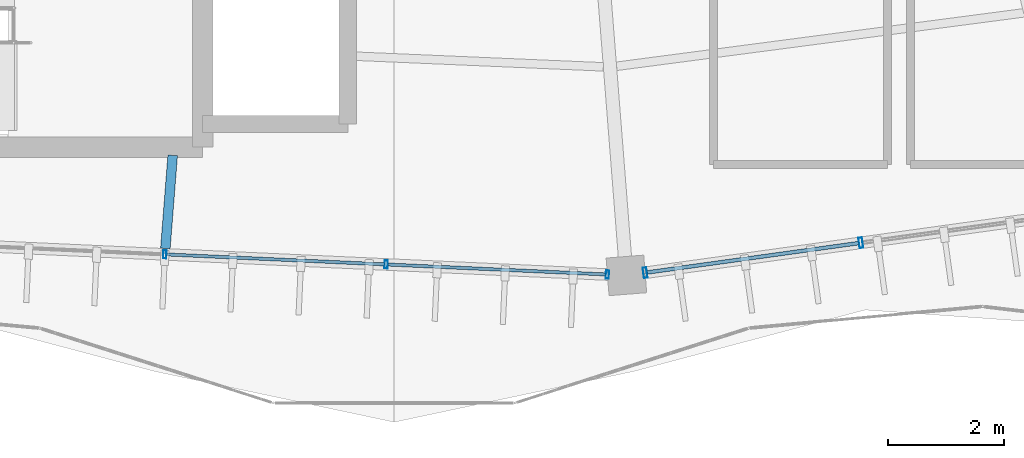
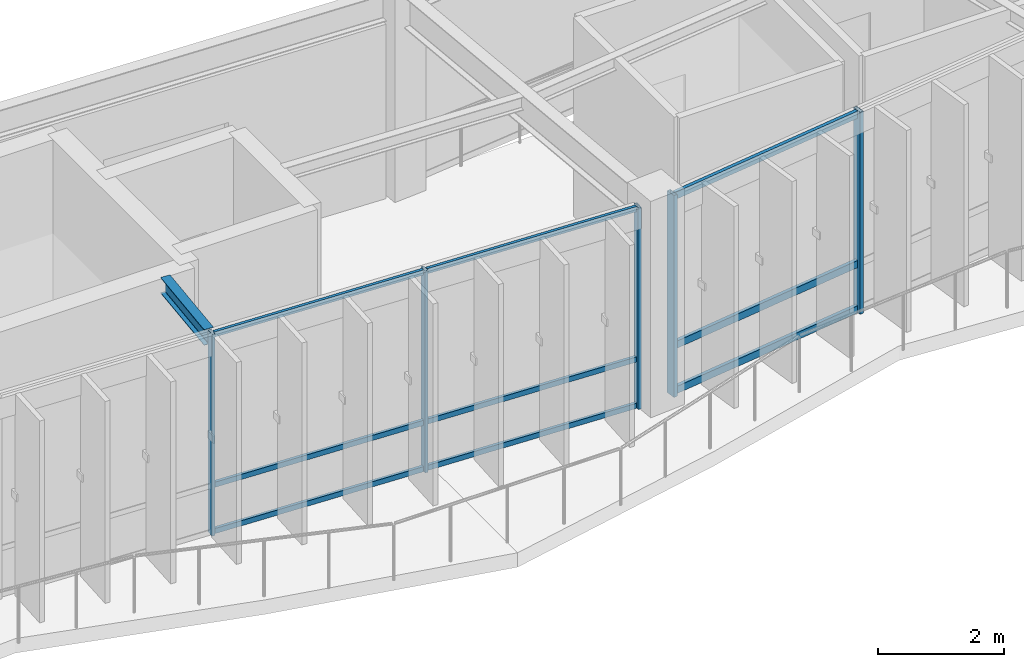
# One storey, part 25 of 114: 14 members, 1 beam, 2 elements without a shape of their own.
"""IFC4 building model written with IfcOpenShell, lengths in metres."""

from ifc_helpers import new_model, si_unit, direction, frame, origin, origin_2d, place, context, subcontext, project, spatial, hollow_rectangle, i_section, extrude, material, material_profile, profile_set, type_object, element, aggregate, save


model = new_model("IFC4")

# Units and contexts
model_context = context("Model", 3, precision=1e-05, world=origin(), true_north=direction((0.0, 1.0)))
body_context = subcontext(model_context, "Body", "Model", "MODEL_VIEW")
ifc_project = project(units=[si_unit("LENGTHUNIT", "METRE"), si_unit("AREAUNIT", "SQUARE_METRE"), si_unit("VOLUMEUNIT", "CUBIC_METRE"), si_unit("PLANEANGLEUNIT", "RADIAN"), si_unit("MASSUNIT", "GRAM", prefix="KILO"), si_unit("THERMODYNAMICTEMPERATUREUNIT", "KELVIN"), si_unit("POWERUNIT", "WATT")], contexts=[model_context])

# Site, building, storey
site_placement = place(None, origin())
site = spatial("IfcSite", under=ifc_project, at=site_placement, CompositionType="ELEMENT")
building_placement = place(site_placement, origin())
building = spatial("IfcBuilding", under=site, at=building_placement, Name="Darbajah Civic Hall", CompositionType="ELEMENT")
storey_placement = place(building_placement, frame((0.0, 0.0, 13.800048828125)))
storey = spatial("IfcBuildingStorey", under=building, at=storey_placement, Name="L03", CompositionType="ELEMENT", Elevation=13.800048828125)

# Curtain wall, members
ifc_material_1 = material(Name="Anodised Bronze Aluminium and Low-E Glazing", Category="aluminium")
curtain_wall_type_1 = type_object("IfcCurtainWallType", Name="Unitised Curtain Wall CW-61 15300x3900", PredefinedType="USERDEFINED", material=ifc_material_1)
curtain_wall_1_placement = place(storey_placement, origin())
curtain_wall_1 = element("IfcCurtainWall", 1, at=curtain_wall_1_placement, inside=storey, type_object=curtain_wall_type_1, Name="L03 unitised curtain wall CW-V1O-L03-14", ObjectType="UNITISED CURTAIN WALL", PredefinedType="USERDEFINED")
ifc_material_2 = material(Name="Anodised Bronze Aluminium", Category="aluminium")
ifc_material_profile_1 = material_profile(ifc_material_2, hollow_rectangle(XDim=0.054931640625, YDim=0.139892578125, WallThickness=0.003173828125, at=origin_2d()), Name="ALU MULLION 55x140")
ifc_profile_set_1 = profile_set([ifc_material_profile_1], Name="Anodised Bronze Aluminium")
member_type_1 = type_object("IfcMemberType", Name="ALU MULLION 55x140", PredefinedType="MULLION", material=ifc_profile_set_1)
member_1_placement = place(storey_placement, frame((85.14794921875, 60.7529296875, 0.0), z_axis=(0.0, 0.0, 1.0), x_axis=(0.998962637241, -0.045537340693, 0.0)))
member_1 = element("IfcMember", 2, at=member_1_placement, type_object=member_type_1, Name="CW-V1O-L03-14 mullion 3", PredefinedType="MULLION", context=body_context, shape_type="SweptSolid", body=[
    extrude(hollow_rectangle(XDim=0.054931640625, YDim=0.139892578125, WallThickness=0.003173828125, at=origin_2d()), origin(), (0.0, 0.0, 1.0), 3.919921875),
])
member_2_placement = place(storey_placement, frame((88.961181640625, 60.579345703125, 0.0), z_axis=(0.0, 0.0, 1.0), x_axis=(0.998962637241, -0.045537340693, 0.0)))
member_2 = element("IfcMember", 3, at=member_2_placement, type_object=member_type_1, Name="CW-V1O-L03-14 mullion 4", PredefinedType="MULLION", context=body_context, shape_type="SweptSolid", body=[
    extrude(hollow_rectangle(XDim=0.054931640625, YDim=0.139892578125, WallThickness=0.003173828125, at=origin_2d()), origin(), (0.0, 0.0, 1.0), 3.919921875),
])
member_3_placement = place(storey_placement, frame((92.774658203125, 60.40576171875, 0.0), z_axis=(0.0, 0.0, 1.0), x_axis=(0.998962637241, -0.045537340693, 0.0)))
member_3 = element("IfcMember", 4, at=member_3_placement, type_object=member_type_1, Name="CW-V1O-L03-14 mullion 5", PredefinedType="MULLION", context=body_context, shape_type="SweptSolid", body=[
    extrude(hollow_rectangle(XDim=0.054931640625, YDim=0.139892578125, WallThickness=0.003173828125, at=origin_2d()), origin(), (0.0, 0.0, 1.0), 3.919921875),
])

curtain_wall_type_2 = type_object("IfcCurtainWallType", Name="Unitised Curtain Wall CW-49 15000x3900", PredefinedType="USERDEFINED", material=ifc_material_1)
curtain_wall_2_placement = place(storey_placement, origin())
curtain_wall_2 = element("IfcCurtainWall", 5, at=curtain_wall_2_placement, inside=storey, type_object=curtain_wall_type_2, Name="L03 unitised curtain wall CW-V1O-L03-15", ObjectType="UNITISED CURTAIN WALL", PredefinedType="USERDEFINED")
ifc_material_profile_2 = material_profile(ifc_material_2, hollow_rectangle(XDim=0.06494140625, YDim=0.179931640625, WallThickness=0.00390625, at=origin_2d()), Name="ALU MULLION 65x180")
ifc_profile_set_2 = profile_set([ifc_material_profile_2], Name="Anodised Bronze Aluminium")
member_type_2 = type_object("IfcMemberType", Name="ALU MULLION 65x180", PredefinedType="MULLION", material=ifc_profile_set_2)
member_4_placement = place(storey_placement, frame((93.42529296875, 60.435791015625, 0.0), z_axis=(0.0, 0.0, 1.0), x_axis=(0.990485459553, 0.137617420457, 0.0)))
member_4 = element("IfcMember", 6, at=member_4_placement, type_object=member_type_2, Name="CW-V1O-L03-15 mullion 1", PredefinedType="MULLION", context=body_context, shape_type="SweptSolid", body=[
    extrude(hollow_rectangle(XDim=0.06494140625, YDim=0.179931640625, WallThickness=0.00390625, at=origin_2d()), origin(), (0.0, 0.0, 1.0), 3.919921875),
])
member_5_placement = place(storey_placement, frame((97.14208984375, 60.9521484375, 0.0), z_axis=(0.0, 0.0, 1.0), x_axis=(0.990485459553, 0.137617420457, 0.0)))
member_5 = element("IfcMember", 7, at=member_5_placement, type_object=member_type_2, Name="CW-V1O-L03-15 mullion 2", PredefinedType="MULLION", context=body_context, shape_type="SweptSolid", body=[
    extrude(hollow_rectangle(XDim=0.06494140625, YDim=0.179931640625, WallThickness=0.00390625, at=origin_2d()), origin(), (0.0, 0.0, 1.0), 3.919921875),
])

# Member
ifc_material_profile_3 = material_profile(ifc_material_2, hollow_rectangle(XDim=0.054931640625, YDim=0.10009765625, WallThickness=0.0029296875, at=origin_2d()), Name="ALU TRANSOM 55x100")
ifc_profile_set_3 = profile_set([ifc_material_profile_3], Name="Anodised Bronze Aluminium")
member_type_3 = type_object("IfcMemberType", Name="ALU TRANSOM 55x100", PredefinedType="USERDEFINED", material=ifc_profile_set_3)
member_6_placement = place(storey_placement, frame((85.180419921875, 60.75146484375, 0.050048828125), z_axis=(0.998965183545, -0.045481447489, 0.0), x_axis=(0.045481447489, 0.998965183545, 0.0)))
member_6 = element("IfcMember", 8, at=member_6_placement, type_object=member_type_3, Name="CW-V1O-L03-14 transom 3.1", ObjectType="TRANSOM", PredefinedType="USERDEFINED", context=body_context, shape_type="SweptSolid", body=[
    extrude(hollow_rectangle(XDim=0.054931640625, YDim=0.10009765625, WallThickness=0.0029296875, at=origin_2d()), origin(), (0.0, 0.0, 1.0), 3.752197265625),
])

member_7_placement = place(storey_placement, frame((85.180419921875, 60.75146484375, 0.949951171875), z_axis=(0.998965183545, -0.045481447489, 0.0), x_axis=(0.045481447489, 0.998965183545, 0.0)))
member_7 = element("IfcMember", 9, at=member_7_placement, type_object=member_type_3, Name="CW-V1O-L03-14 transom 3.2", ObjectType="TRANSOM", PredefinedType="USERDEFINED", context=body_context, shape_type="SweptSolid", body=[
    extrude(hollow_rectangle(XDim=0.054931640625, YDim=0.10009765625, WallThickness=0.0029296875, at=origin_2d()), origin(), (0.0, 0.0, 1.0), 3.752197265625),
])

member_8_placement = place(storey_placement, frame((85.180419921875, 60.75146484375, 3.869873046875), z_axis=(0.998965183545, -0.045481447489, 0.0), x_axis=(0.045481447489, 0.998965183545, 0.0)))
member_8 = element("IfcMember", 10, at=member_8_placement, type_object=member_type_3, Name="CW-V1O-L03-14 transom 3.3", ObjectType="TRANSOM", PredefinedType="USERDEFINED", context=body_context, shape_type="SweptSolid", body=[
    extrude(hollow_rectangle(XDim=0.054931640625, YDim=0.10009765625, WallThickness=0.0029296875, at=origin_2d()), origin(), (0.0, 0.0, 1.0), 3.752197265625),
])

member_9_placement = place(storey_placement, frame((88.99365234375, 60.577880859375, 0.050048828125), z_axis=(0.998965318125, -0.045478491427, 0.0), x_axis=(0.045478491427, 0.998965318125, 0.0)))
member_9 = element("IfcMember", 11, at=member_9_placement, type_object=member_type_3, Name="CW-V1O-L03-14 transom 4.1", ObjectType="TRANSOM", PredefinedType="USERDEFINED", context=body_context, shape_type="SweptSolid", body=[
    extrude(hollow_rectangle(XDim=0.054931640625, YDim=0.10009765625, WallThickness=0.0029296875, at=origin_2d()), origin(), (0.0, 0.0, 1.0), 3.75244140625),
])

member_10_placement = place(storey_placement, frame((88.99365234375, 60.577880859375, 0.949951171875), z_axis=(0.998965318125, -0.045478491427, 0.0), x_axis=(0.045478491427, 0.998965318125, 0.0)))
member_10 = element("IfcMember", 12, at=member_10_placement, type_object=member_type_3, Name="CW-V1O-L03-14 transom 4.2", ObjectType="TRANSOM", PredefinedType="USERDEFINED", context=body_context, shape_type="SweptSolid", body=[
    extrude(hollow_rectangle(XDim=0.054931640625, YDim=0.10009765625, WallThickness=0.0029296875, at=origin_2d()), origin(), (0.0, 0.0, 1.0), 3.75244140625),
])

member_11_placement = place(storey_placement, frame((88.99365234375, 60.577880859375, 3.869873046875), z_axis=(0.998965318125, -0.045478491427, 0.0), x_axis=(0.045478491427, 0.998965318125, 0.0)))
member_11 = element("IfcMember", 13, at=member_11_placement, type_object=member_type_3, Name="CW-V1O-L03-14 transom 4.3", ObjectType="TRANSOM", PredefinedType="USERDEFINED", context=body_context, shape_type="SweptSolid", body=[
    extrude(hollow_rectangle(XDim=0.054931640625, YDim=0.10009765625, WallThickness=0.0029296875, at=origin_2d()), origin(), (0.0, 0.0, 1.0), 3.75244140625),
])

aggregate(curtain_wall_1, [member_1, member_2, member_3, member_6, member_7, member_8, member_9, member_10, member_11])

ifc_material_profile_4 = material_profile(ifc_material_2, hollow_rectangle(XDim=0.06494140625, YDim=0.139892578125, WallThickness=0.00341796875, at=origin_2d()), Name="ALU TRANSOM 65x140")
ifc_profile_set_4 = profile_set([ifc_material_profile_4], Name="Anodised Bronze Aluminium")
member_type_4 = type_object("IfcMemberType", Name="ALU TRANSOM 65x140", PredefinedType="USERDEFINED", material=ifc_profile_set_4)
member_12_placement = place(storey_placement, frame((93.46240234375, 60.441162109375, 0.070068359375), z_axis=(0.990494283277, 0.137553897785, 0.0), x_axis=(-0.137553897785, 0.990494283277, 0.0)))
member_12 = element("IfcMember", 14, at=member_12_placement, type_object=member_type_4, Name="CW-V1O-L03-15 transom 1.1", ObjectType="TRANSOM", PredefinedType="USERDEFINED", context=body_context, shape_type="SweptSolid", body=[
    extrude(hollow_rectangle(XDim=0.06494140625, YDim=0.139892578125, WallThickness=0.00341796875, at=origin_2d()), origin(), (0.0, 0.0, 1.0), 3.677490234375),
])

member_13_placement = place(storey_placement, frame((93.46240234375, 60.441162109375, 0.949951171875), z_axis=(0.990494283277, 0.137553897785, 0.0), x_axis=(-0.137553897785, 0.990494283277, 0.0)))
member_13 = element("IfcMember", 15, at=member_13_placement, type_object=member_type_4, Name="CW-V1O-L03-15 transom 1.2", ObjectType="TRANSOM", PredefinedType="USERDEFINED", context=body_context, shape_type="SweptSolid", body=[
    extrude(hollow_rectangle(XDim=0.06494140625, YDim=0.139892578125, WallThickness=0.00341796875, at=origin_2d()), origin(), (0.0, 0.0, 1.0), 3.677490234375),
])

member_14_placement = place(storey_placement, frame((93.46240234375, 60.441162109375, 3.849853515625), z_axis=(0.990494283277, 0.137553897785, 0.0), x_axis=(-0.137553897785, 0.990494283277, 0.0)))
member_14 = element("IfcMember", 16, at=member_14_placement, type_object=member_type_4, Name="CW-V1O-L03-15 transom 1.3", ObjectType="TRANSOM", PredefinedType="USERDEFINED", context=body_context, shape_type="SweptSolid", body=[
    extrude(hollow_rectangle(XDim=0.06494140625, YDim=0.139892578125, WallThickness=0.00341796875, at=origin_2d()), origin(), (0.0, 0.0, 1.0), 3.677490234375),
])

aggregate(curtain_wall_2, [member_4, member_5, member_12, member_13, member_14])

# Beam
ifc_material_3 = material(Name="Steel S355JR", Category="steel")
ifc_material_profile_5 = material_profile(ifc_material_3, i_section(OverallWidth=0.165771484375, OverallDepth=0.306640625, WebThickness=0.006591796875, FlangeThickness=0.01171875, FilletRadius=0.0087890625, at=origin_2d()), Name="UB 305x165x46")
ifc_profile_set_5 = profile_set([ifc_material_profile_5], Name="Steel S355JR")
beam_type = type_object("IfcBeamType", Name="UB 305x165x46", PredefinedType="JOIST", material=ifc_profile_set_5)
beam_placement = place(storey_placement, frame((85.2822265625, 62.4599609375, 3.7666015625), z_axis=(-0.078389217268, -0.996922830823, 0.0), x_axis=(0.996922830823, -0.078389217268, 0.0)))
element("IfcBeam", 17, at=beam_placement, inside=storey, type_object=beam_type, Name="L03 beam SJ-305", PredefinedType="JOIST", context=body_context, shape_type="SweptSolid", body=[
    extrude(i_section(OverallWidth=0.165771484375, OverallDepth=0.306640625, WebThickness=0.006591796875, FlangeThickness=0.01171875, FilletRadius=0.0087890625, at=origin_2d()), origin(), (0.0, 0.0, 1.0), 1.610107421875),
])

save(model, "model.ifc")
